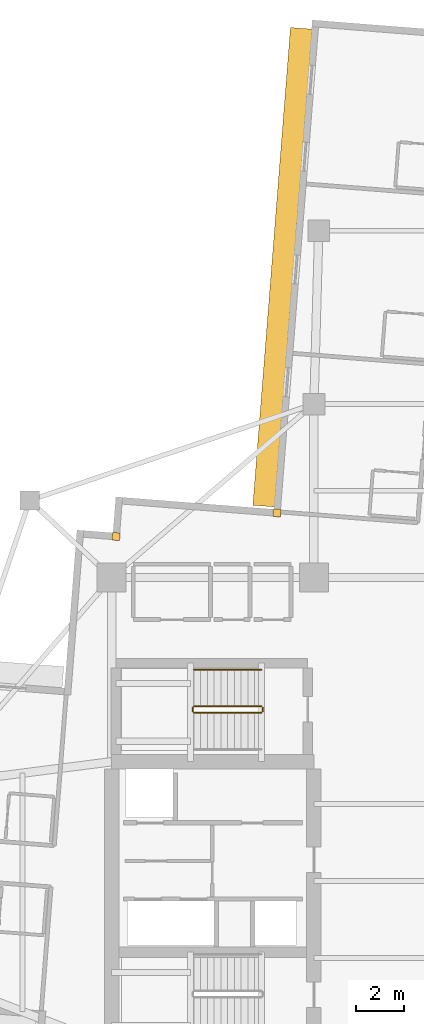
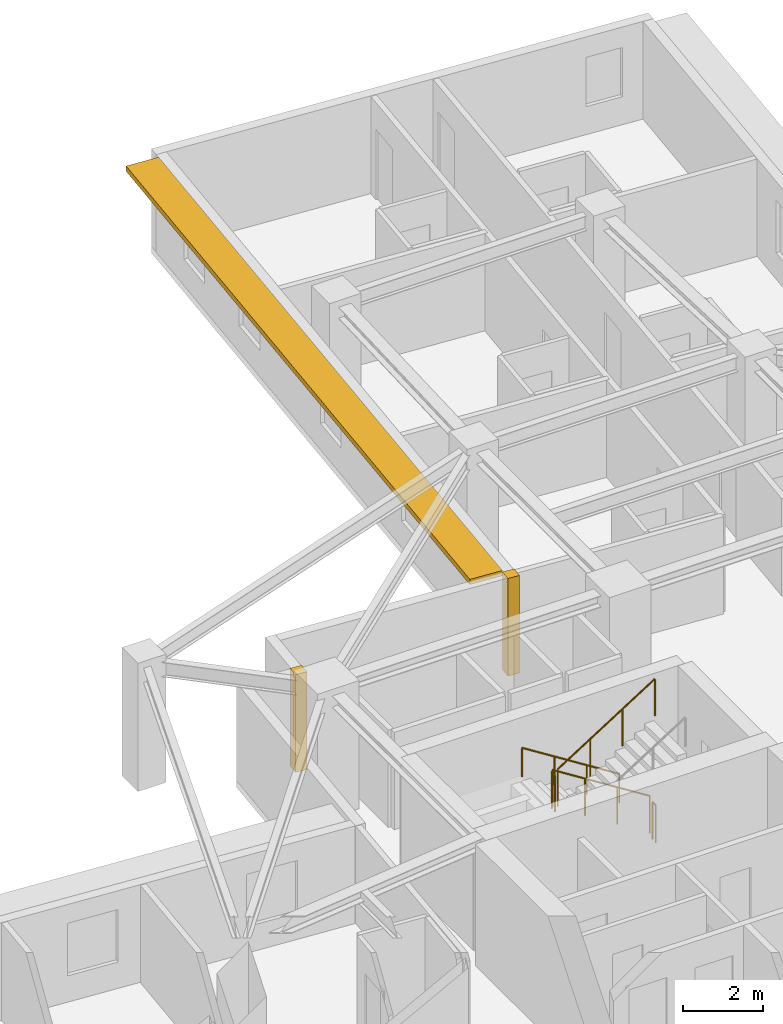
# One storey, part 13 of 14: 5 railings, 2 coverings, 1 shading device.
"""IFC4 building model written with IfcOpenShell, lengths in metres."""

from ifc_helpers import new_model, si_unit, direction, frame, origin, origin_2d, place, context, subcontext, project, spatial, rectangle, circle, extrude, material, layer, layer_set, type_object, element, save


model = new_model("IFC4")

# Units and contexts
model_context = context("Model", 3, precision=1e-05, world=origin(), true_north=direction((0.0, 1.0)))
body_context = subcontext(model_context, "Body", "Model", "MODEL_VIEW")
ifc_project = project(units=[si_unit("LENGTHUNIT", "METRE"), si_unit("AREAUNIT", "SQUARE_METRE"), si_unit("VOLUMEUNIT", "CUBIC_METRE"), si_unit("PLANEANGLEUNIT", "RADIAN"), si_unit("MASSUNIT", "GRAM", prefix="KILO")], contexts=[model_context])

# Site, building, storey
site_placement = place(None, origin())
site = spatial("IfcSite", under=ifc_project, at=site_placement, CompositionType="ELEMENT")
building_placement = place(site_placement, origin())
building = spatial("IfcBuilding", under=site, at=building_placement, Name="Qingluan Cross Belvedere", CompositionType="ELEMENT")
storey_placement = place(building_placement, frame((0.0, 0.0, 164.39990234375)))
storey = spatial("IfcBuildingStorey", under=building, at=storey_placement, Name="L41", CompositionType="ELEMENT", Elevation=164.39990234375)

# Coverings
ifc_material_1 = material(Name="Precast concrete C45", Category="concrete")
ifc_layer_1 = layer(ifc_material_1, 0.1201171875, Name="ConcreteSpandrelCladding_120")
ifc_layer_set_1 = layer_set([ifc_layer_1], Name="Precast concrete C45")
covering_type = type_object("IfcCoveringType", Name="ConcreteSpandrelCladding_120", PredefinedType="CLADDING", material=ifc_layer_set_1)
for number, where, z_axis, x_axis, name in (
    (1, (-12.215576171875, 14.302490234375, 0.0), (0.0, 0.0, 1.0), (0.996917333733, -0.078459095728, 0.0), "Corner closure L41-NW1"),
    (2, (-5.5380859375, 15.281494140625, 0.0), (0.0, 0.0, 1.0), (0.996917333733, -0.078459095728, 0.0), "Corner closure L41-NW2"),
):
    element("IfcCovering", number, at=place(storey_placement, frame(where, z_axis=z_axis, x_axis=x_axis)), inside=storey, type_object=covering_type, Name=name, PredefinedType="CLADDING", context=body_context, shape_type="SweptSolid", body=[
        extrude(rectangle(XDim=0.320068359375, YDim=0.320068359375, at=origin_2d()), origin(), (0.0, 0.0, 1.0), 2.969970703125),
    ])

# Shading device
ifc_material_2 = material(Name="Precast concrete C45", Category="concrete")
ifc_layer_2 = layer(ifc_material_2, 0.159912109375, Name="ConcreteSunshadeBand_900")
ifc_layer_set_2 = layer_set([ifc_layer_2], Name="Precast concrete C45")
shading_device_type = type_object("IfcShadingDeviceType", Name="ConcreteSunshadeBand_900", PredefinedType="USERDEFINED", material=ifc_layer_set_2)
shading_device_placement = place(storey_placement, frame((-5.306884765625, 25.48486328125, 2.7900390625), z_axis=(0.0, 0.0, 1.0), x_axis=(-0.078457869429, -0.996917430244, 0.0)))
element("IfcShadingDevice", 3, at=shading_device_placement, inside=storey, type_object=shading_device_type, Name="Concrete SUNSHADE L41-NB", ObjectType="SUNSHADE", PredefinedType="USERDEFINED", context=body_context, shape_type="SweptSolid", body=[
    extrude(rectangle(XDim=19.89990234375, YDim=0.89990234375, at=origin_2d()), origin(), (0.0, 0.0, 1.0), 0.159912109375),
])

# Railings
ifc_material_3 = material(Name="Brushed stainless steel tubular handrail", Category="steel")
railing_type_1 = type_object("IfcRailingType", Name="StairPitchHandrail_900", PredefinedType="HANDRAIL", material=ifc_material_3)
railing_1_placement = place(storey_placement, frame((-6.179931640625, 8.77001953125, 0.177490234375)))
element("IfcRailing", 4, at=railing_1_placement, inside=storey, type_object=railing_type_1, Name="L41 ST3 stair handrail 1", PredefinedType="HANDRAIL", context=body_context, shape_type="SweptSolid", body=[
    extrude(circle(Radius=0.02392578125, at=origin_2d()), frame((0.0, 0.0, 0.8759765625), z_axis=(-0.844908973607, 0.0, 0.534910110503), x_axis=(0.0, -1.0, 0.0)), (0.0, 0.0, 1.0), 3.31396484375),
    extrude(circle(Radius=0.02099609375, at=origin_2d()), origin(), (0.0, 0.0, 1.0), 0.851806640625),
    extrude(circle(Radius=0.02099609375, at=origin_2d()), frame((-0.933349609375, 0.0, 0.5908203125)), (0.0, 0.0, 1.0), 0.851806640625),
    extrude(circle(Radius=0.02099609375, at=origin_2d()), frame((-1.86669921875, 0.0, 1.181884765625)), (0.0, 0.0, 1.0), 0.851806640625),
    extrude(circle(Radius=0.02099609375, at=origin_2d()), frame((-2.800048828125, 0.0, 1.772705078125)), (0.0, 0.0, 1.0), 0.851806640625),
])
ifc_material_4 = material(Name="Painted steel stair well guard", Category="steel")
railing_type_2 = type_object("IfcRailingType", Name="StairWellGuard_1150", PredefinedType="BALUSTRADE", material=ifc_material_4)
railing_2_placement = place(storey_placement, frame((-6.179931640625, 7.25, 0.177490234375)))
element("IfcRailing", 5, at=railing_2_placement, inside=storey, type_object=railing_type_2, Name="L41 ST3 stair guard 1", PredefinedType="BALUSTRADE", context=body_context, shape_type="SweptSolid", body=[
    extrude(circle(Radius=0.02392578125, at=origin_2d()), frame((0.0, 0.0, 1.1259765625), z_axis=(-0.844908973607, 0.0, 0.534910110503), x_axis=(0.0, -1.0, 0.0)), (0.0, 0.0, 1.0), 3.31396484375),
    extrude(circle(Radius=0.02099609375, at=origin_2d()), origin(), (0.0, 0.0, 1.0), 1.101806640625),
    extrude(circle(Radius=0.02099609375, at=origin_2d()), frame((-0.933349609375, 0.0, 0.5908203125)), (0.0, 0.0, 1.0), 1.101806640625),
    extrude(circle(Radius=0.02099609375, at=origin_2d()), frame((-1.86669921875, 0.0, 1.181884765625)), (0.0, 0.0, 1.0), 1.101806640625),
    extrude(circle(Radius=0.02099609375, at=origin_2d()), frame((-2.800048828125, 0.0, 1.772705078125)), (0.0, 0.0, 1.0), 1.101806640625),
])
railing_3_placement = place(storey_placement, frame((-9.030029296875, 7.199951171875, 1.9501953125)))
element("IfcRailing", 6, at=railing_3_placement, inside=storey, type_object=railing_type_2, Name="L41 ST3 stair guard 2", PredefinedType="BALUSTRADE", context=body_context, shape_type="SweptSolid", body=[
    extrude(circle(Radius=0.02392578125, at=origin_2d()), frame((0.0, 0.0, 1.1259765625), z_axis=(0.0, -1.0, 0.0), x_axis=(1.0, 0.0, 0.0)), (0.0, 0.0, 1.0), 0.159912109375),
    extrude(circle(Radius=0.02099609375, at=origin_2d()), origin(), (0.0, 0.0, 1.0), 1.101806640625),
    extrude(circle(Radius=0.02099609375, at=origin_2d()), frame((0.0, -0.159912109375, 0.0)), (0.0, 0.0, 1.0), 1.101806640625),
])
railing_4_placement = place(storey_placement, frame((-8.97998046875, 6.989990234375, 2.12744140625)))
element("IfcRailing", 7, at=railing_4_placement, inside=storey, type_object=railing_type_2, Name="L41 ST3 stair guard 3", PredefinedType="BALUSTRADE", context=body_context, shape_type="SweptSolid", body=[
    extrude(circle(Radius=0.02392578125, at=origin_2d()), frame((0.0, 0.0, 1.1259765625), z_axis=(0.844908973607, 0.0, 0.534910110503), x_axis=(0.0, 1.0, 0.0)), (0.0, 0.0, 1.0), 3.31396484375),
    extrude(circle(Radius=0.02099609375, at=origin_2d()), origin(), (0.0, 0.0, 1.0), 1.101806640625),
    extrude(circle(Radius=0.02099609375, at=origin_2d()), frame((0.933349609375, 0.0, 0.5908203125)), (0.0, 0.0, 1.0), 1.101806640625),
    extrude(circle(Radius=0.02099609375, at=origin_2d()), frame((1.86669921875, 0.0, 1.181884765625)), (0.0, 0.0, 1.0), 1.101806640625),
    extrude(circle(Radius=0.02099609375, at=origin_2d()), frame((2.800048828125, 0.0, 1.772705078125)), (0.0, 0.0, 1.0), 1.101806640625),
])
railing_5_placement = place(storey_placement, frame((-6.1298828125, 7.199951171875, 0.0)))
element("IfcRailing", 8, at=railing_5_placement, inside=storey, type_object=railing_type_2, Name="L41 ST3 stair guard 4", PredefinedType="BALUSTRADE", context=body_context, shape_type="SweptSolid", body=[
    extrude(circle(Radius=0.02392578125, at=origin_2d()), frame((0.0, 0.0, 1.1259765625), z_axis=(0.0, -1.0, 0.0), x_axis=(1.0, 0.0, 0.0)), (0.0, 0.0, 1.0), 0.159912109375),
    extrude(circle(Radius=0.02099609375, at=origin_2d()), origin(), (0.0, 0.0, 1.0), 1.101806640625),
    extrude(circle(Radius=0.02099609375, at=origin_2d()), frame((0.0, -0.159912109375, 0.0)), (0.0, 0.0, 1.0), 1.101806640625),
])

save(model, "model.ifc")
